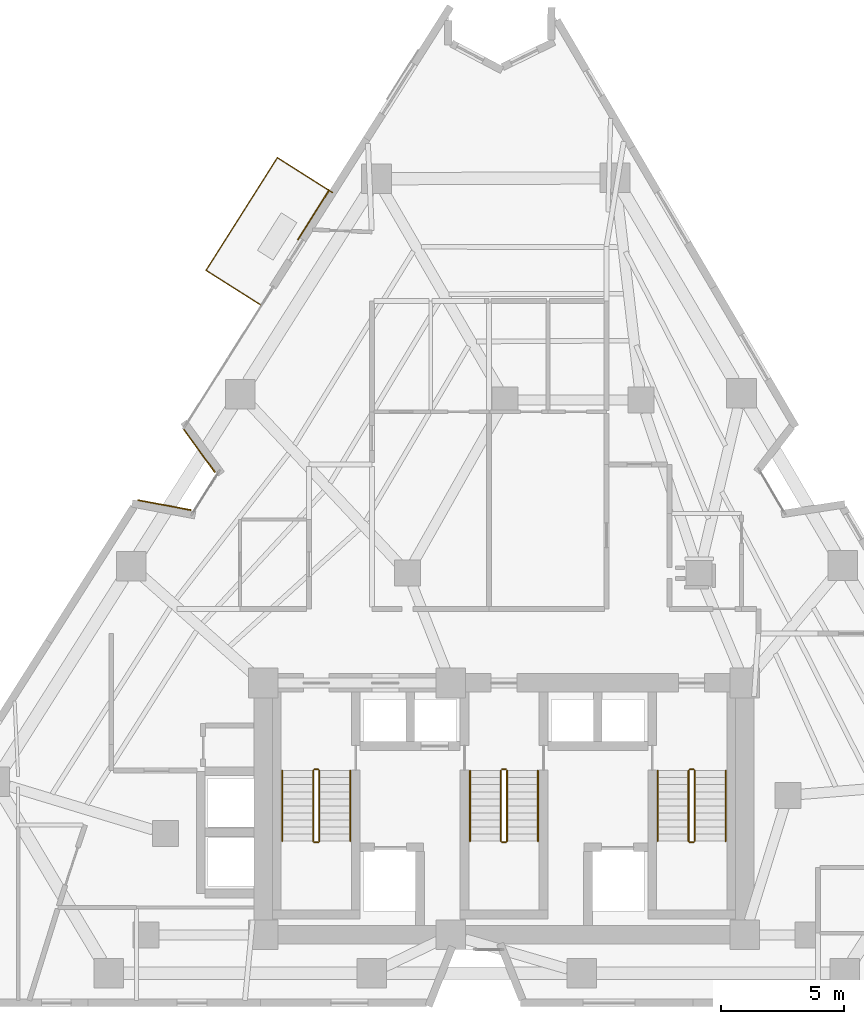
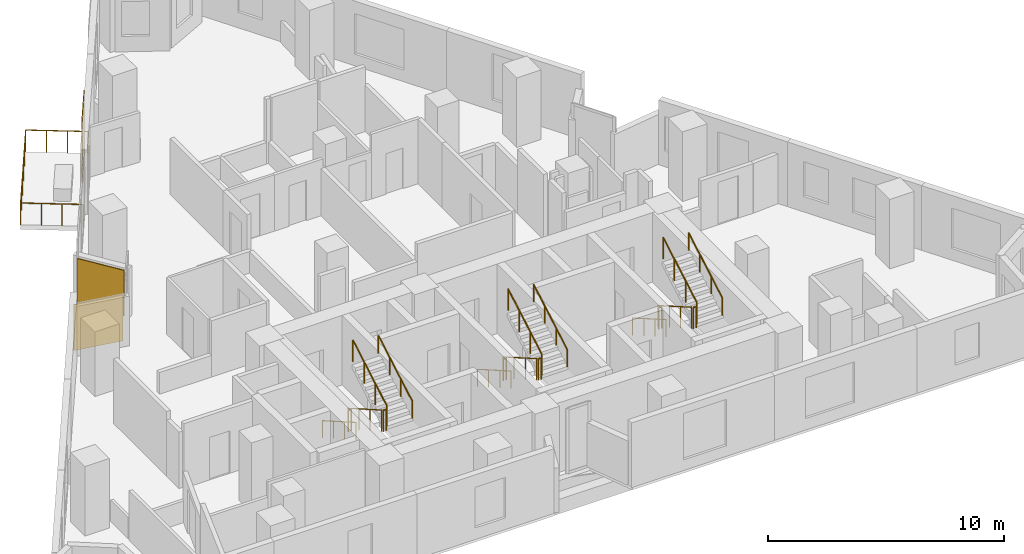
# One storey, part 10 of 11: 19 railings, 3 coverings.
"""IFC4 building model written with IfcOpenShell, lengths in metres."""

from ifc_helpers import new_model, si_unit, direction, frame, origin, origin_2d, place, context, subcontext, project, spatial, rectangle, circle, extrude, material, layer, layer_set, type_object, element, save


model = new_model("IFC4")

# Units and contexts
model_context = context("Model", 3, precision=1e-05, world=origin(), true_north=direction((0.0, 1.0)))
body_context = subcontext(model_context, "Body", "Model", "MODEL_VIEW")
ifc_project = project(units=[si_unit("LENGTHUNIT", "METRE"), si_unit("AREAUNIT", "SQUARE_METRE"), si_unit("VOLUMEUNIT", "CUBIC_METRE"), si_unit("PLANEANGLEUNIT", "RADIAN"), si_unit("MASSUNIT", "GRAM", prefix="KILO")], contexts=[model_context])

# Site, building, storey
site_placement = place(None, origin())
site = spatial("IfcSite", under=ifc_project, at=site_placement, CompositionType="ELEMENT")
building_placement = place(site_placement, origin())
building = spatial("IfcBuilding", under=site, at=building_placement, Name="Almagre Mirador Tower", CompositionType="ELEMENT")
storey_placement = place(building_placement, frame((0.0, 0.0, 128.39990234375)))
storey = spatial("IfcBuildingStorey", under=building, at=storey_placement, Name="L32", CompositionType="ELEMENT", Elevation=128.39990234375)

# Coverings
ifc_material_1 = material(Name="Almagre terracotta architectural cladding", Category="masonry")
ifc_layer = layer(ifc_material_1, 0.044921875)
ifc_layer_set = layer_set([ifc_layer], Name="Almagre terracotta architectural cladding")
covering_type = type_object("IfcCoveringType", Name="COV-CLAD-ALMAGRE", PredefinedType="CLADDING", material=ifc_layer_set)
for number, where, z_axis, x_axis, name in (
    (1, (23.552978515625, 21.950439453125, 0.10009765625), (0.0, 0.0, 1.0), (0.982745405197, -0.184963424938, 0.0), "L32 almagre terracotta pier cladding"),
    (2, (24.956298828125, 24.16748046875, 0.10009765625), (0.0, 0.0, 1.0), (-0.587757011914, 0.809037511458, 0.0), "L32 almagre terracotta pier cladding"),
):
    element("IfcCovering", number, at=place(storey_placement, frame(where, z_axis=z_axis, x_axis=x_axis)), inside=storey, type_object=covering_type, Name=name, PredefinedType="CLADDING", context=body_context, shape_type="SweptSolid", body=[
        extrude(rectangle(XDim=2.194091796875, YDim=0.044921875, at=origin_2d()), origin(), (0.0, 0.0, 1.0), 2.375),
    ])
covering_placement = place(storey_placement, frame((29.5927734375, 33.704833984375, 0.10009765625), z_axis=(0.0, 0.0, 1.0), x_axis=(0.534883337551, 0.844925922913, 0.0)))
element("IfcCovering", 3, at=covering_placement, inside=storey, type_object=covering_type, Name="L32 almagre terracotta pier cladding", PredefinedType="CLADDING", context=body_context, shape_type="SweptSolid", body=[
    extrude(rectangle(XDim=2.39990234375, YDim=0.044921875, at=origin_2d()), origin(), (0.0, 0.0, 1.0), 3.14990234375),
])

# Railings
ifc_material_2 = material(Name="Black anodized aluminium", Category="aluminium")
railing_type_1 = type_object("IfcRailingType", Name="RLG-BAL-1150", PredefinedType="BALUSTRADE", material=ifc_material_2)
railing_1_placement = place(storey_placement, frame((30.364013671875, 34.60107421875, 0.0)))
element("IfcRailing", 4, at=railing_1_placement, inside=storey, type_object=railing_type_1, Name="L32 west balcony balustrade 2", PredefinedType="BALUSTRADE", context=body_context, shape_type="SweptSolid", body=[
    extrude(circle(Radius=0.02392578125, at=origin_2d()), frame((0.0, 0.0, 1.1259765625), z_axis=(-0.844831567396, 0.535032356715, 0.0), x_axis=(-0.535032356715, -0.844831567396, 0.0)), (0.0, 0.0, 1.0), 2.650146484375),
    extrude(circle(Radius=0.02392578125, at=origin_2d()), frame((-2.239013671875, 1.41796875, 1.1259765625), z_axis=(-0.534793915892, -0.844982524982, 0.0), x_axis=(0.844982524982, -0.534793915892, 0.0)), (0.0, 0.0, 1.0), 5.400146484375),
    extrude(circle(Radius=0.02392578125, at=origin_2d()), frame((-5.126953125, -3.14501953125, 1.1259765625), z_axis=(0.844998116555, -0.534769280175, 0.0), x_axis=(0.534769280175, 0.844998116555, 0.0)), (0.0, 0.0, 1.0), 2.649658203125),
    extrude(circle(Radius=0.02099609375, at=origin_2d()), origin(), (0.0, 0.0, 1.0), 1.101806640625),
    extrude(circle(Radius=0.02099609375, at=origin_2d()), frame((-0.746337890625, 0.47265625, 0.0)), (0.0, 0.0, 1.0), 1.101806640625),
    extrude(circle(Radius=0.02099609375, at=origin_2d()), frame((-1.49267578125, 0.9453125, 0.0)), (0.0, 0.0, 1.0), 1.101806640625),
    extrude(circle(Radius=0.02099609375, at=origin_2d()), frame((-2.239013671875, 1.41796875, 0.0)), (0.0, 0.0, 1.0), 1.101806640625),
    extrude(circle(Radius=0.02099609375, at=origin_2d()), frame((-2.816650390625, 0.50537109375, 0.0)), (0.0, 0.0, 1.0), 1.101806640625),
    extrude(circle(Radius=0.02099609375, at=origin_2d()), frame((-3.394287109375, -0.4072265625, 0.0)), (0.0, 0.0, 1.0), 1.101806640625),
    extrude(circle(Radius=0.02099609375, at=origin_2d()), frame((-3.9716796875, -1.31982421875, 0.0)), (0.0, 0.0, 1.0), 1.101806640625),
    extrude(circle(Radius=0.02099609375, at=origin_2d()), frame((-4.54931640625, -2.232421875, 0.0)), (0.0, 0.0, 1.0), 1.101806640625),
    extrude(circle(Radius=0.02099609375, at=origin_2d()), frame((-5.126953125, -3.14501953125, 0.0)), (0.0, 0.0, 1.0), 1.101806640625),
    extrude(circle(Radius=0.02099609375, at=origin_2d()), frame((-4.380615234375, -3.617431640625, 0.0)), (0.0, 0.0, 1.0), 1.101806640625),
    extrude(circle(Radius=0.02099609375, at=origin_2d()), frame((-3.63427734375, -4.089599609375, 0.0)), (0.0, 0.0, 1.0), 1.101806640625),
    extrude(circle(Radius=0.02099609375, at=origin_2d()), frame((-2.887939453125, -4.56201171875, 0.0)), (0.0, 0.0, 1.0), 1.101806640625),
])
ifc_material_3 = material(Name="Painted galvanized steel", Category="steel")
railing_type_2 = type_object("IfcRailingType", Name="RLG-GRD-1100", PredefinedType="GUARDRAIL", material=ifc_material_3)
railing_2_placement = place(storey_placement, frame((29.574951171875, 11.199951171875, 0.163818359375)))
element("IfcRailing", 5, at=railing_2_placement, inside=storey, type_object=railing_type_2, Name="L32 ST-1 stair guard 1", PredefinedType="GUARDRAIL", context=body_context, shape_type="SweptSolid", body=[
    extrude(circle(Radius=0.02392578125, at=origin_2d()), frame((0.0, 0.0, 1.09619140625), z_axis=(0.0, -0.867226363773, 0.497914082927), x_axis=(1.0, 0.0, 0.0)), (0.0, 0.0, 1.0), 3.2861328125),
    extrude(circle(Radius=0.02099609375, at=origin_2d()), origin(), (0.0, 0.0, 1.0), 1.072021484375),
    extrude(circle(Radius=0.02099609375, at=origin_2d()), frame((0.0, -0.949951171875, 0.54541015625)), (0.0, 0.0, 1.0), 1.072021484375),
    extrude(circle(Radius=0.02099609375, at=origin_2d()), frame((0.0, -1.89990234375, 1.0908203125)), (0.0, 0.0, 1.0), 1.072021484375),
    extrude(circle(Radius=0.02099609375, at=origin_2d()), frame((0.0, -2.849853515625, 1.63623046875)), (0.0, 0.0, 1.0), 1.072021484375),
])
railing_3_placement = place(storey_placement, frame((29.625, 8.300048828125, 1.800048828125)))
element("IfcRailing", 6, at=railing_3_placement, inside=storey, type_object=railing_type_2, Name="L32 ST-1 stair guard 2", PredefinedType="GUARDRAIL", context=body_context, shape_type="SweptSolid", body=[
    extrude(circle(Radius=0.02392578125, at=origin_2d()), frame((0.0, 0.0, 1.09619140625), z_axis=(1.0, 0.0, 0.0), x_axis=(0.0, 1.0, 0.0)), (0.0, 0.0, 1.0), 0.14990234375),
    extrude(circle(Radius=0.02099609375, at=origin_2d()), origin(), (0.0, 0.0, 1.0), 1.072021484375),
    extrude(circle(Radius=0.02099609375, at=origin_2d()), frame((0.14990234375, 0.0, 0.0)), (0.0, 0.0, 1.0), 1.072021484375),
])
railing_4_placement = place(storey_placement, frame((29.824951171875, 8.35009765625, 1.963623046875)))
element("IfcRailing", 7, at=railing_4_placement, inside=storey, type_object=railing_type_2, Name="L32 ST-1 stair guard 3", PredefinedType="GUARDRAIL", context=body_context, shape_type="SweptSolid", body=[
    extrude(circle(Radius=0.02392578125, at=origin_2d()), frame((0.0, 0.0, 1.09619140625), z_axis=(0.0, 0.867194282975, 0.497969954491), x_axis=(-1.0, 0.0, 0.0)), (0.0, 0.0, 1.0), 3.286376953125),
    extrude(circle(Radius=0.02099609375, at=origin_2d()), origin(), (0.0, 0.0, 1.0), 1.072021484375),
    extrude(circle(Radius=0.02099609375, at=origin_2d()), frame((0.0, 0.949951171875, 0.54541015625)), (0.0, 0.0, 1.0), 1.072021484375),
    extrude(circle(Radius=0.02099609375, at=origin_2d()), frame((0.0, 1.89990234375, 1.091064453125)), (0.0, 0.0, 1.0), 1.072021484375),
    extrude(circle(Radius=0.02099609375, at=origin_2d()), frame((0.0, 2.849853515625, 1.636474609375)), (0.0, 0.0, 1.0), 1.072021484375),
])
railing_5_placement = place(storey_placement, frame((29.625, 11.25, 0.0)))
element("IfcRailing", 8, at=railing_5_placement, inside=storey, type_object=railing_type_2, Name="L32 ST-1 stair guard 4", PredefinedType="GUARDRAIL", context=body_context, shape_type="SweptSolid", body=[
    extrude(circle(Radius=0.02392578125, at=origin_2d()), frame((0.0, 0.0, 1.09619140625), z_axis=(1.0, 0.0, 0.0), x_axis=(0.0, 1.0, 0.0)), (0.0, 0.0, 1.0), 0.14990234375),
    extrude(circle(Radius=0.02099609375, at=origin_2d()), origin(), (0.0, 0.0, 1.0), 1.072021484375),
    extrude(circle(Radius=0.02099609375, at=origin_2d()), frame((0.14990234375, 0.0, 0.0)), (0.0, 0.0, 1.0), 1.072021484375),
])
railing_6_placement = place(storey_placement, frame((37.175048828125, 11.199951171875, 0.163818359375)))
element("IfcRailing", 9, at=railing_6_placement, inside=storey, type_object=railing_type_2, Name="L32 ST-2 stair guard 1", PredefinedType="GUARDRAIL", context=body_context, shape_type="SweptSolid", body=[
    extrude(circle(Radius=0.02392578125, at=origin_2d()), frame((0.0, 0.0, 1.09619140625), z_axis=(0.0, -0.867226363773, 0.497914082927), x_axis=(1.0, 0.0, 0.0)), (0.0, 0.0, 1.0), 3.2861328125),
    extrude(circle(Radius=0.02099609375, at=origin_2d()), origin(), (0.0, 0.0, 1.0), 1.072021484375),
    extrude(circle(Radius=0.02099609375, at=origin_2d()), frame((0.0, -0.949951171875, 0.54541015625)), (0.0, 0.0, 1.0), 1.072021484375),
    extrude(circle(Radius=0.02099609375, at=origin_2d()), frame((0.0, -1.89990234375, 1.0908203125)), (0.0, 0.0, 1.0), 1.072021484375),
    extrude(circle(Radius=0.02099609375, at=origin_2d()), frame((0.0, -2.849853515625, 1.63623046875)), (0.0, 0.0, 1.0), 1.072021484375),
])
railing_7_placement = place(storey_placement, frame((37.22509765625, 8.300048828125, 1.800048828125)))
element("IfcRailing", 10, at=railing_7_placement, inside=storey, type_object=railing_type_2, Name="L32 ST-2 stair guard 2", PredefinedType="GUARDRAIL", context=body_context, shape_type="SweptSolid", body=[
    extrude(circle(Radius=0.02392578125, at=origin_2d()), frame((0.0, 0.0, 1.09619140625), z_axis=(1.0, 0.0, 0.0), x_axis=(0.0, 1.0, 0.0)), (0.0, 0.0, 1.0), 0.14990234375),
    extrude(circle(Radius=0.02099609375, at=origin_2d()), origin(), (0.0, 0.0, 1.0), 1.072021484375),
    extrude(circle(Radius=0.02099609375, at=origin_2d()), frame((0.14990234375, 0.0, 0.0)), (0.0, 0.0, 1.0), 1.072021484375),
])
railing_8_placement = place(storey_placement, frame((37.425048828125, 8.35009765625, 1.963623046875)))
element("IfcRailing", 11, at=railing_8_placement, inside=storey, type_object=railing_type_2, Name="L32 ST-2 stair guard 3", PredefinedType="GUARDRAIL", context=body_context, shape_type="SweptSolid", body=[
    extrude(circle(Radius=0.02392578125, at=origin_2d()), frame((0.0, 0.0, 1.09619140625), z_axis=(0.0, 0.867194282975, 0.497969954491), x_axis=(-1.0, 0.0, 0.0)), (0.0, 0.0, 1.0), 3.286376953125),
    extrude(circle(Radius=0.02099609375, at=origin_2d()), origin(), (0.0, 0.0, 1.0), 1.072021484375),
    extrude(circle(Radius=0.02099609375, at=origin_2d()), frame((0.0, 0.949951171875, 0.54541015625)), (0.0, 0.0, 1.0), 1.072021484375),
    extrude(circle(Radius=0.02099609375, at=origin_2d()), frame((0.0, 1.89990234375, 1.091064453125)), (0.0, 0.0, 1.0), 1.072021484375),
    extrude(circle(Radius=0.02099609375, at=origin_2d()), frame((0.0, 2.849853515625, 1.636474609375)), (0.0, 0.0, 1.0), 1.072021484375),
])
railing_9_placement = place(storey_placement, frame((37.22509765625, 11.25, 0.0)))
element("IfcRailing", 12, at=railing_9_placement, inside=storey, type_object=railing_type_2, Name="L32 ST-2 stair guard 4", PredefinedType="GUARDRAIL", context=body_context, shape_type="SweptSolid", body=[
    extrude(circle(Radius=0.02392578125, at=origin_2d()), frame((0.0, 0.0, 1.09619140625), z_axis=(1.0, 0.0, 0.0), x_axis=(0.0, 1.0, 0.0)), (0.0, 0.0, 1.0), 0.14990234375),
    extrude(circle(Radius=0.02099609375, at=origin_2d()), origin(), (0.0, 0.0, 1.0), 1.072021484375),
    extrude(circle(Radius=0.02099609375, at=origin_2d()), frame((0.14990234375, 0.0, 0.0)), (0.0, 0.0, 1.0), 1.072021484375),
])
railing_10_placement = place(storey_placement, frame((44.77490234375, 11.199951171875, 0.163818359375)))
element("IfcRailing", 13, at=railing_10_placement, inside=storey, type_object=railing_type_2, Name="L32 ST-3 stair guard 1", PredefinedType="GUARDRAIL", context=body_context, shape_type="SweptSolid", body=[
    extrude(circle(Radius=0.02392578125, at=origin_2d()), frame((0.0, 0.0, 1.09619140625), z_axis=(0.0, -0.867226363773, 0.497914082927), x_axis=(1.0, 0.0, 0.0)), (0.0, 0.0, 1.0), 3.2861328125),
    extrude(circle(Radius=0.02099609375, at=origin_2d()), origin(), (0.0, 0.0, 1.0), 1.072021484375),
    extrude(circle(Radius=0.02099609375, at=origin_2d()), frame((0.0, -0.949951171875, 0.54541015625)), (0.0, 0.0, 1.0), 1.072021484375),
    extrude(circle(Radius=0.02099609375, at=origin_2d()), frame((0.0, -1.89990234375, 1.0908203125)), (0.0, 0.0, 1.0), 1.072021484375),
    extrude(circle(Radius=0.02099609375, at=origin_2d()), frame((0.0, -2.849853515625, 1.63623046875)), (0.0, 0.0, 1.0), 1.072021484375),
])
railing_11_placement = place(storey_placement, frame((44.824951171875, 8.300048828125, 1.800048828125)))
element("IfcRailing", 14, at=railing_11_placement, inside=storey, type_object=railing_type_2, Name="L32 ST-3 stair guard 2", PredefinedType="GUARDRAIL", context=body_context, shape_type="SweptSolid", body=[
    extrude(circle(Radius=0.02392578125, at=origin_2d()), frame((0.0, 0.0, 1.09619140625), z_axis=(1.0, 0.0, 0.0), x_axis=(0.0, 1.0, 0.0)), (0.0, 0.0, 1.0), 0.150146484375),
    extrude(circle(Radius=0.02099609375, at=origin_2d()), origin(), (0.0, 0.0, 1.0), 1.072021484375),
    extrude(circle(Radius=0.02099609375, at=origin_2d()), frame((0.150146484375, 0.0, 0.0)), (0.0, 0.0, 1.0), 1.072021484375),
])
railing_12_placement = place(storey_placement, frame((45.02490234375, 8.35009765625, 1.963623046875)))
element("IfcRailing", 15, at=railing_12_placement, inside=storey, type_object=railing_type_2, Name="L32 ST-3 stair guard 3", PredefinedType="GUARDRAIL", context=body_context, shape_type="SweptSolid", body=[
    extrude(circle(Radius=0.02392578125, at=origin_2d()), frame((0.0, 0.0, 1.09619140625), z_axis=(0.0, 0.867194282975, 0.497969954491), x_axis=(-1.0, 0.0, 0.0)), (0.0, 0.0, 1.0), 3.286376953125),
    extrude(circle(Radius=0.02099609375, at=origin_2d()), origin(), (0.0, 0.0, 1.0), 1.072021484375),
    extrude(circle(Radius=0.02099609375, at=origin_2d()), frame((0.0, 0.949951171875, 0.54541015625)), (0.0, 0.0, 1.0), 1.072021484375),
    extrude(circle(Radius=0.02099609375, at=origin_2d()), frame((0.0, 1.89990234375, 1.091064453125)), (0.0, 0.0, 1.0), 1.072021484375),
    extrude(circle(Radius=0.02099609375, at=origin_2d()), frame((0.0, 2.849853515625, 1.636474609375)), (0.0, 0.0, 1.0), 1.072021484375),
])
railing_13_placement = place(storey_placement, frame((44.824951171875, 11.25, 0.0)))
element("IfcRailing", 16, at=railing_13_placement, inside=storey, type_object=railing_type_2, Name="L32 ST-3 stair guard 4", PredefinedType="GUARDRAIL", context=body_context, shape_type="SweptSolid", body=[
    extrude(circle(Radius=0.02392578125, at=origin_2d()), frame((0.0, 0.0, 1.09619140625), z_axis=(1.0, 0.0, 0.0), x_axis=(0.0, 1.0, 0.0)), (0.0, 0.0, 1.0), 0.150146484375),
    extrude(circle(Radius=0.02099609375, at=origin_2d()), origin(), (0.0, 0.0, 1.0), 1.072021484375),
    extrude(circle(Radius=0.02099609375, at=origin_2d()), frame((0.150146484375, 0.0, 0.0)), (0.0, 0.0, 1.0), 1.072021484375),
])
ifc_material_4 = material(Name="Brushed stainless steel", Category="steel")
railing_type_3 = type_object("IfcRailingType", Name="RLG-HND-915", PredefinedType="HANDRAIL", material=ifc_material_4)
railing_14_placement = place(storey_placement, frame((28.324951171875, 11.199951171875, 0.163818359375)))
element("IfcRailing", 17, at=railing_14_placement, inside=storey, type_object=railing_type_3, Name="L32 ST-1 stair handrail 1", PredefinedType="HANDRAIL", context=body_context, shape_type="SweptSolid", body=[
    extrude(circle(Radius=0.02392578125, at=origin_2d()), frame((0.0, 0.0, 0.89111328125), z_axis=(0.0, -0.867226363773, 0.497914082927), x_axis=(1.0, 0.0, 0.0)), (0.0, 0.0, 1.0), 3.2861328125),
    extrude(circle(Radius=0.02099609375, at=origin_2d()), origin(), (0.0, 0.0, 1.0), 0.866943359375),
    extrude(circle(Radius=0.02099609375, at=origin_2d()), frame((0.0, -0.949951171875, 0.54541015625)), (0.0, 0.0, 1.0), 0.866943359375),
    extrude(circle(Radius=0.02099609375, at=origin_2d()), frame((0.0, -1.89990234375, 1.0908203125)), (0.0, 0.0, 1.0), 0.866943359375),
    extrude(circle(Radius=0.02099609375, at=origin_2d()), frame((0.0, -2.849853515625, 1.63623046875)), (0.0, 0.0, 1.0), 0.866943359375),
])
railing_15_placement = place(storey_placement, frame((31.074951171875, 8.35009765625, 1.963623046875)))
element("IfcRailing", 18, at=railing_15_placement, inside=storey, type_object=railing_type_3, Name="L32 ST-1 stair handrail 2", PredefinedType="HANDRAIL", context=body_context, shape_type="SweptSolid", body=[
    extrude(circle(Radius=0.02392578125, at=origin_2d()), frame((0.0, 0.0, 0.89111328125), z_axis=(0.0, 0.867194282975, 0.497969954491), x_axis=(-1.0, 0.0, 0.0)), (0.0, 0.0, 1.0), 3.286376953125),
    extrude(circle(Radius=0.02099609375, at=origin_2d()), origin(), (0.0, 0.0, 1.0), 0.866943359375),
    extrude(circle(Radius=0.02099609375, at=origin_2d()), frame((0.0, 0.949951171875, 0.54541015625)), (0.0, 0.0, 1.0), 0.866943359375),
    extrude(circle(Radius=0.02099609375, at=origin_2d()), frame((0.0, 1.89990234375, 1.091064453125)), (0.0, 0.0, 1.0), 0.866943359375),
    extrude(circle(Radius=0.02099609375, at=origin_2d()), frame((0.0, 2.849853515625, 1.636474609375)), (0.0, 0.0, 1.0), 0.866943359375),
])
railing_16_placement = place(storey_placement, frame((35.925048828125, 11.199951171875, 0.163818359375)))
element("IfcRailing", 19, at=railing_16_placement, inside=storey, type_object=railing_type_3, Name="L32 ST-2 stair handrail 1", PredefinedType="HANDRAIL", context=body_context, shape_type="SweptSolid", body=[
    extrude(circle(Radius=0.02392578125, at=origin_2d()), frame((0.0, 0.0, 0.89111328125), z_axis=(0.0, -0.867226363773, 0.497914082927), x_axis=(1.0, 0.0, 0.0)), (0.0, 0.0, 1.0), 3.2861328125),
    extrude(circle(Radius=0.02099609375, at=origin_2d()), origin(), (0.0, 0.0, 1.0), 0.866943359375),
    extrude(circle(Radius=0.02099609375, at=origin_2d()), frame((0.0, -0.949951171875, 0.54541015625)), (0.0, 0.0, 1.0), 0.866943359375),
    extrude(circle(Radius=0.02099609375, at=origin_2d()), frame((0.0, -1.89990234375, 1.0908203125)), (0.0, 0.0, 1.0), 0.866943359375),
    extrude(circle(Radius=0.02099609375, at=origin_2d()), frame((0.0, -2.849853515625, 1.63623046875)), (0.0, 0.0, 1.0), 0.866943359375),
])
railing_17_placement = place(storey_placement, frame((38.675048828125, 8.35009765625, 1.963623046875)))
element("IfcRailing", 20, at=railing_17_placement, inside=storey, type_object=railing_type_3, Name="L32 ST-2 stair handrail 2", PredefinedType="HANDRAIL", context=body_context, shape_type="SweptSolid", body=[
    extrude(circle(Radius=0.02392578125, at=origin_2d()), frame((0.0, 0.0, 0.89111328125), z_axis=(0.0, 0.867194282975, 0.497969954491), x_axis=(-1.0, 0.0, 0.0)), (0.0, 0.0, 1.0), 3.286376953125),
    extrude(circle(Radius=0.02099609375, at=origin_2d()), origin(), (0.0, 0.0, 1.0), 0.866943359375),
    extrude(circle(Radius=0.02099609375, at=origin_2d()), frame((0.0, 0.949951171875, 0.54541015625)), (0.0, 0.0, 1.0), 0.866943359375),
    extrude(circle(Radius=0.02099609375, at=origin_2d()), frame((0.0, 1.89990234375, 1.091064453125)), (0.0, 0.0, 1.0), 0.866943359375),
    extrude(circle(Radius=0.02099609375, at=origin_2d()), frame((0.0, 2.849853515625, 1.636474609375)), (0.0, 0.0, 1.0), 0.866943359375),
])
railing_18_placement = place(storey_placement, frame((43.52490234375, 11.199951171875, 0.163818359375)))
element("IfcRailing", 21, at=railing_18_placement, inside=storey, type_object=railing_type_3, Name="L32 ST-3 stair handrail 1", PredefinedType="HANDRAIL", context=body_context, shape_type="SweptSolid", body=[
    extrude(circle(Radius=0.02392578125, at=origin_2d()), frame((0.0, 0.0, 0.89111328125), z_axis=(0.0, -0.867226363773, 0.497914082927), x_axis=(1.0, 0.0, 0.0)), (0.0, 0.0, 1.0), 3.2861328125),
    extrude(circle(Radius=0.02099609375, at=origin_2d()), origin(), (0.0, 0.0, 1.0), 0.866943359375),
    extrude(circle(Radius=0.02099609375, at=origin_2d()), frame((0.0, -0.949951171875, 0.54541015625)), (0.0, 0.0, 1.0), 0.866943359375),
    extrude(circle(Radius=0.02099609375, at=origin_2d()), frame((0.0, -1.89990234375, 1.0908203125)), (0.0, 0.0, 1.0), 0.866943359375),
    extrude(circle(Radius=0.02099609375, at=origin_2d()), frame((0.0, -2.849853515625, 1.63623046875)), (0.0, 0.0, 1.0), 0.866943359375),
])
railing_19_placement = place(storey_placement, frame((46.27490234375, 8.35009765625, 1.963623046875)))
element("IfcRailing", 22, at=railing_19_placement, inside=storey, type_object=railing_type_3, Name="L32 ST-3 stair handrail 2", PredefinedType="HANDRAIL", context=body_context, shape_type="SweptSolid", body=[
    extrude(circle(Radius=0.02392578125, at=origin_2d()), frame((0.0, 0.0, 0.89111328125), z_axis=(0.0, 0.867194282975, 0.497969954491), x_axis=(-1.0, 0.0, 0.0)), (0.0, 0.0, 1.0), 3.286376953125),
    extrude(circle(Radius=0.02099609375, at=origin_2d()), origin(), (0.0, 0.0, 1.0), 0.866943359375),
    extrude(circle(Radius=0.02099609375, at=origin_2d()), frame((0.0, 0.949951171875, 0.54541015625)), (0.0, 0.0, 1.0), 0.866943359375),
    extrude(circle(Radius=0.02099609375, at=origin_2d()), frame((0.0, 1.89990234375, 1.091064453125)), (0.0, 0.0, 1.0), 0.866943359375),
    extrude(circle(Radius=0.02099609375, at=origin_2d()), frame((0.0, 2.849853515625, 1.636474609375)), (0.0, 0.0, 1.0), 0.866943359375),
])

save(model, "model.ifc")
